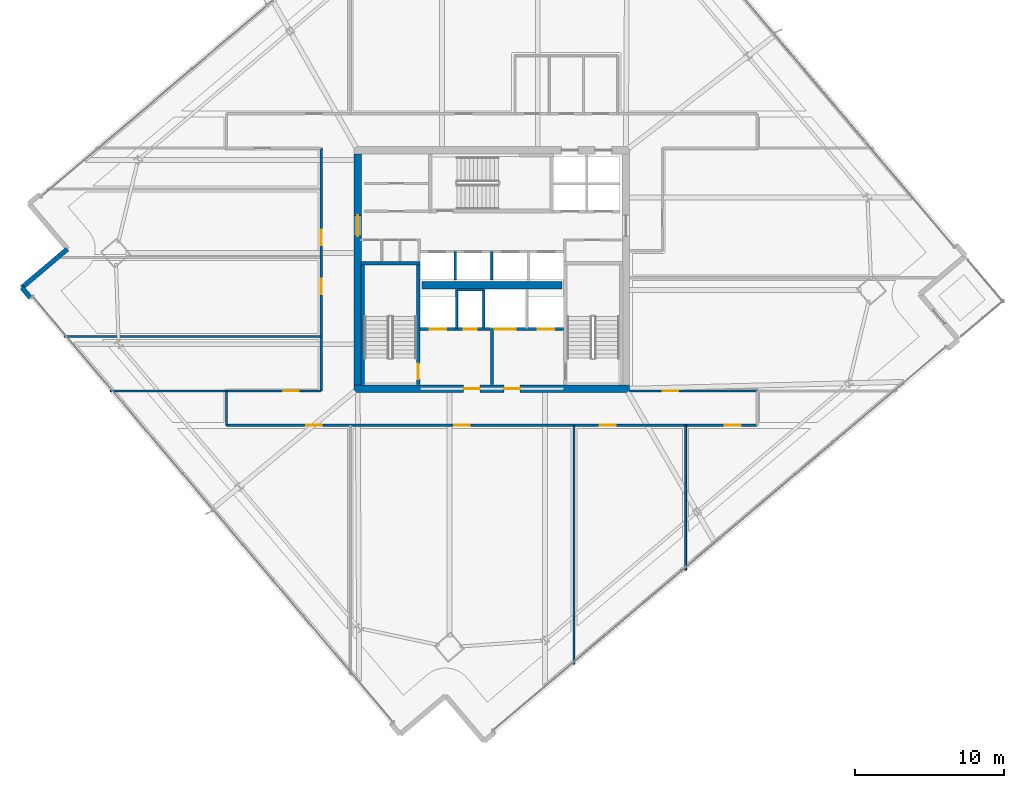
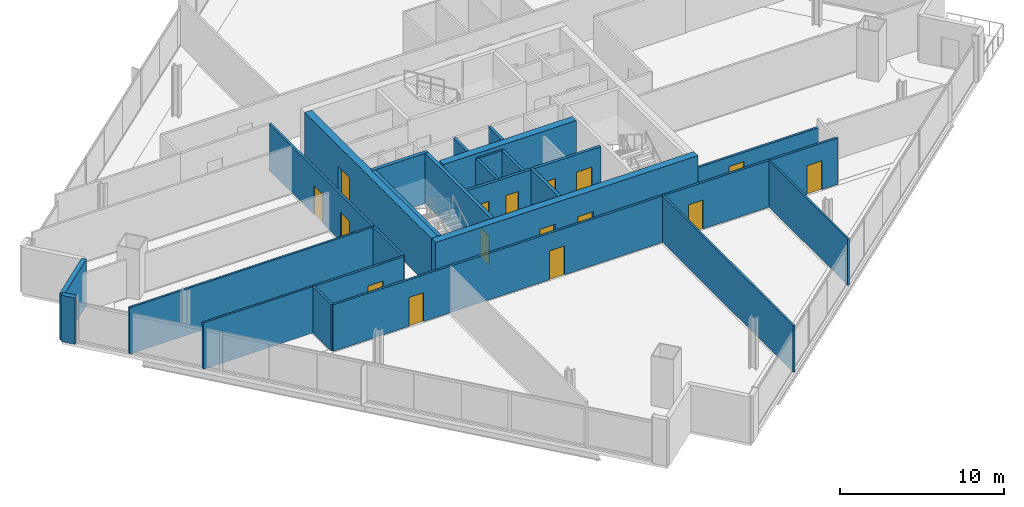
# One storey, part 26 of 34: 25 walls, 16 doors, 16 openings.
"""IFC4 building model written with IfcOpenShell, lengths in metres."""

from ifc_helpers import new_model, si_unit, direction, frame, frame_2d, origin, place, context, subcontext, project, spatial, rectangle, extrude, material, layer, layer_set, type_object, element, fill, save


model = new_model("IFC4")

# Units and contexts
model_context = context("Model", 3, precision=1e-05, world=origin(), true_north=direction((0.0, 1.0)))
body_context = subcontext(model_context, "Body", "Model", "MODEL_VIEW")
ifc_project = project(units=[si_unit("LENGTHUNIT", "METRE"), si_unit("AREAUNIT", "SQUARE_METRE"), si_unit("VOLUMEUNIT", "CUBIC_METRE"), si_unit("PLANEANGLEUNIT", "RADIAN"), si_unit("MASSUNIT", "GRAM", prefix="KILO")], contexts=[model_context])

# Site, building, storey
site_placement = place(None, origin())
site = spatial("IfcSite", under=ifc_project, at=site_placement, CompositionType="ELEMENT")
building_placement = place(site_placement, origin())
building = spatial("IfcBuilding", under=site, at=building_placement, Name="Haldenkirk Collegiate Tower", CompositionType="ELEMENT")
storey_placement = place(building_placement, frame((0.0, 0.0, 163.199951171875)))
storey = spatial("IfcBuildingStorey", under=building, at=storey_placement, Name="L40", CompositionType="ELEMENT", Elevation=163.199951171875)

# Wall, openings, doors
ifc_material_1 = material(Name="Concrete f'c 55 MPa", Category="concrete")
ifc_layer_1 = layer(ifc_material_1, 0.5)
ifc_layer_set_1 = layer_set([ifc_layer_1], Name="Concrete f'c 55 MPa")
wall_type_1 = type_object("IfcWallType", Name="WL-CORE-500", PredefinedType="SHEAR", material=ifc_layer_set_1)
wall_1_placement = place(storey_placement, frame((26.75, 18.0, 0.0), z_axis=(0.0, 0.0, 1.0), x_axis=(1.0, 0.0, 0.0)))
wall_1 = element("IfcWall", 1, at=wall_1_placement, inside=storey, type_object=wall_type_1, Name="L40 central core shear wall S", PredefinedType="SHEAR", context=body_context, shape_type="SweptSolid", body=[
    extrude(rectangle(XDim=18.5, YDim=0.5, at=frame_2d((9.25, 0.0))), origin(), (0.0, 0.0, 1.0), 3.75),
])
opening_1_placement = place(wall_1_placement, frame((7.35009765625, 0.0, 0.0)))
opening_1 = element("IfcOpeningElement", 2, at=opening_1_placement, cuts=wall_1, Name="Opening D-02", PredefinedType="OPENING", context=body_context, shape_type="SweptSolid", body=[
    extrude(rectangle(XDim=1.10009765625, YDim=2.14990234375, at=frame_2d((0.550048828125, 1.074951171875))), frame((0.0, 0.260009765625, 0.0), z_axis=(0.0, -1.0, 0.0), x_axis=(1.0, 0.0, 0.0)), (0.0, 0.0, 1.0), 0.52001953125),
])
opening_2_placement = place(wall_1_placement, frame((10.050048828125, 0.0, 0.0)))
opening_2 = element("IfcOpeningElement", 3, at=opening_2_placement, cuts=wall_1, Name="Opening D-02", PredefinedType="OPENING", context=body_context, shape_type="SweptSolid", body=[
    extrude(rectangle(XDim=1.10009765625, YDim=2.14990234375, at=frame_2d((0.550048828125, 1.074951171875))), frame((0.0, 0.260009765625, 0.0), z_axis=(0.0, -1.0, 0.0), x_axis=(1.0, 0.0, 0.0)), (0.0, 0.0, 1.0), 0.52001953125),
])
ifc_material_2 = material(Name="Galvanized fire-rated hollow steel door", Category="steel")
ifc_layer_2 = layer(ifc_material_2, 0.06005859375)
ifc_layer_set_2 = layer_set([ifc_layer_2], Name="Galvanized fire-rated hollow steel door")
door_type_1 = type_object("IfcDoorType", Name="DR-STAIR-FD90-1100", OperationType="NOTDEFINED", PredefinedType="DOOR", material=ifc_layer_set_2)
door_1_placement = place(opening_1_placement, origin())
door_1 = element("IfcDoor", 4, at=door_1_placement, inside=storey, type_object=door_type_1, Name="L40 Firefighting Lobby 1 door", OperationType="SINGLE_SWING_LEFT", OverallHeight=2.14990234375, OverallWidth=1.10009765625, PredefinedType="DOOR", context=body_context, shape_type="SweptSolid", body=[
    extrude(rectangle(XDim=1.10009765625, YDim=2.14990234375, at=frame_2d((0.550048828125, 1.074951171875))), frame((0.0, 0.02490234375, 0.0), z_axis=(0.0, -1.0, 0.0), x_axis=(1.0, 0.0, 0.0)), (0.0, 0.0, 1.0), 0.050048828125),
])
fill(opening_1, door_1)
door_2_placement = place(opening_2_placement, origin())
door_2 = element("IfcDoor", 5, at=door_2_placement, inside=storey, type_object=door_type_1, Name="L40 Firefighting Lobby 2 door", OperationType="SINGLE_SWING_RIGHT", OverallHeight=2.14990234375, OverallWidth=1.10009765625, PredefinedType="DOOR", context=body_context, shape_type="SweptSolid", body=[
    extrude(rectangle(XDim=1.10009765625, YDim=2.14990234375, at=frame_2d((0.550048828125, 1.074951171875))), frame((0.0, 0.02490234375, 0.0), z_axis=(0.0, -1.0, 0.0), x_axis=(1.0, 0.0, 0.0)), (0.0, 0.0, 1.0), 0.050048828125),
])
fill(opening_2, door_2)

# Wall, opening, door
wall_2_placement = place(storey_placement, frame((27.0, 18.25, 0.0), z_axis=(0.0, 0.0, 1.0), x_axis=(0.0, 1.0, 0.0)))
wall_2 = element("IfcWall", 6, at=wall_2_placement, inside=storey, type_object=wall_type_1, Name="L40 central core shear wall W", PredefinedType="SHEAR", context=body_context, shape_type="SweptSolid", body=[
    extrude(rectangle(XDim=15.5, YDim=0.5, at=frame_2d((7.75, 0.0))), origin(), (0.0, 0.0, 1.0), 3.75),
])
opening_3_placement = place(wall_2_placement, frame((9.989990234375, 0.0, 0.0)))
opening_3 = element("IfcOpeningElement", 7, at=opening_3_placement, cuts=wall_2, Name="Opening D-03", PredefinedType="OPENING", context=body_context, shape_type="SweptSolid", body=[
    extrude(rectangle(XDim=1.39990234375, YDim=2.199951171875, at=frame_2d((0.699951171875, 1.10009765625))), frame((0.0, 0.260009765625, 0.0), z_axis=(0.0, -1.0, 0.0), x_axis=(1.0, 0.0, 0.0)), (0.0, 0.0, 1.0), 0.52001953125),
])
ifc_layer_3 = layer(ifc_material_2, 0.06005859375)
ifc_layer_set_3 = layer_set([ifc_layer_3], Name="Galvanized fire-rated hollow steel door")
door_type_2 = type_object("IfcDoorType", Name="DR-LOBBY-FD90-1400", OperationType="NOTDEFINED", PredefinedType="DOOR", material=ifc_layer_set_3)
door_3_placement = place(opening_3_placement, origin())
door_3 = element("IfcDoor", 8, at=door_3_placement, inside=storey, type_object=door_type_2, Name="L40 west lift lobby portal", OperationType="DOUBLE_DOOR_SINGLE_SWING", OverallHeight=2.199951171875, OverallWidth=1.39990234375, PredefinedType="DOOR", context=body_context, shape_type="SweptSolid", body=[
    extrude(rectangle(XDim=1.39990234375, YDim=2.199951171875, at=frame_2d((0.699951171875, 1.10009765625))), frame((0.0, 0.02490234375, 0.0), z_axis=(0.0, -1.0, 0.0), x_axis=(1.0, 0.0, 0.0)), (0.0, 0.0, 1.0), 0.050048828125),
])
fill(opening_3, door_3)

# Walls
wall_3_placement = place(storey_placement, frame((31.31005859375, 24.949951171875, 0.0), z_axis=(0.0, 0.0, 1.0), x_axis=(1.0, 0.0, 0.0)))
element("IfcWall", 9, at=wall_3_placement, inside=storey, type_object=wall_type_1, Name="L40 central core spine shear wall", PredefinedType="SHEAR", context=body_context, shape_type="SweptSolid", body=[
    extrude(rectangle(XDim=9.3798828125, YDim=0.5, at=frame_2d((4.68994140625, 0.0))), origin(), (0.0, 0.0, 1.0), 3.75),
])
ifc_material_3 = material(Name="Precast concrete f'c 40 MPa", Category="concrete")
ifc_layer_4 = layer(ifc_material_3, 0.320068359375)
ifc_layer_set_4 = layer_set([ifc_layer_4], Name="Precast concrete f'c 40 MPa")
wall_type_2 = type_object("IfcWallType", Name="WL-EXT-TWR-320", PredefinedType="STANDARD", material=ifc_layer_set_4)
wall_4_placement = place(storey_placement, frame((4.466552734375, 24.788818359375, 0.0), z_axis=(0.0, 0.0, 1.0), x_axis=(0.763240413737, 0.646114595748, 0.0)))
element("IfcWall", 10, at=wall_4_placement, inside=storey, type_object=wall_type_2, Name="L40 bronze precast notch wall 09", PredefinedType="STANDARD", context=body_context, shape_type="SweptSolid", body=[
    extrude(rectangle(XDim=4.0, YDim=0.320068359375, at=frame_2d((2.0, 0.0))), origin(), (0.0, 0.0, 1.0), 3.4599609375),
])
wall_5_placement = place(storey_placement, frame((5.048095703125, 24.101806640625, 0.0), z_axis=(0.0, 0.0, 1.0), x_axis=(-0.64608813683, 0.763262811519, 0.0)))
element("IfcWall", 11, at=wall_5_placement, inside=storey, type_object=wall_type_2, Name="L40 precast corner pier WR", PredefinedType="STANDARD", context=body_context, shape_type="SweptSolid", body=[
    extrude(rectangle(XDim=0.900146484375, YDim=0.320068359375, at=frame_2d((0.4501953125, 0.0))), origin(), (0.0, 0.0, 1.0), 3.4599609375),
])

# Wall, openings, doors
ifc_material_4 = material(Name="Acoustic fire-rated gypsum partition", Category="concrete")
ifc_layer_5 = layer(ifc_material_4, 0.159912109375)
ifc_layer_set_5 = layer_set([ifc_layer_5], Name="Acoustic fire-rated gypsum partition")
wall_type_3 = type_object("IfcWallType", Name="WL-INT-CORR-160", PredefinedType="PARTITIONING", material=ifc_layer_set_5)
wall_6_placement = place(storey_placement, frame((18.199951171875, 15.550048828125, 0.0), z_axis=(0.0, 0.0, 1.0), x_axis=(1.0, 0.0, 0.0)))
wall_6 = element("IfcWall", 12, at=wall_6_placement, inside=storey, type_object=wall_type_3, Name="L40 interior partition IW-L40-CS", PredefinedType="PARTITIONING", context=body_context, shape_type="SweptSolid", body=[
    extrude(rectangle(XDim=35.60009765625, YDim=0.159912109375, at=frame_2d((17.800048828125, 0.0))), origin(), (0.0, 0.0, 1.0), 3.4599609375),
])
opening_4_placement = place(wall_6_placement, frame((5.344970703125, 0.0, 0.0)))
opening_4 = element("IfcOpeningElement", 13, at=opening_4_placement, cuts=wall_6, Name="Opening D-09", PredefinedType="OPENING", context=body_context, shape_type="SweptSolid", body=[
    extrude(rectangle(XDim=1.050048828125, YDim=2.14990234375, at=frame_2d((0.52490234375, 1.074951171875))), frame((0.0, 0.08984375, 0.0), z_axis=(0.0, -1.0, 0.0), x_axis=(1.0, 0.0, 0.0)), (0.0, 0.0, 1.0), 0.179931640625),
])
opening_5_placement = place(wall_6_placement, frame((15.27490234375, 0.0, 0.0)))
opening_5 = element("IfcOpeningElement", 14, at=opening_5_placement, cuts=wall_6, Name="Opening D-09", PredefinedType="OPENING", context=body_context, shape_type="SweptSolid", body=[
    extrude(rectangle(XDim=1.050048828125, YDim=2.14990234375, at=frame_2d((0.52490234375, 1.074951171875))), frame((0.0, 0.08984375, 0.0), z_axis=(0.0, -1.0, 0.0), x_axis=(1.0, 0.0, 0.0)), (0.0, 0.0, 1.0), 0.179931640625),
])
opening_6_placement = place(wall_6_placement, frame((25.054931640625, 0.0, 0.0)))
opening_6 = element("IfcOpeningElement", 15, at=opening_6_placement, cuts=wall_6, Name="Opening D-09", PredefinedType="OPENING", context=body_context, shape_type="SweptSolid", body=[
    extrude(rectangle(XDim=1.050048828125, YDim=2.14990234375, at=frame_2d((0.52490234375, 1.074951171875))), frame((0.0, 0.08984375, 0.0), z_axis=(0.0, -1.0, 0.0), x_axis=(1.0, 0.0, 0.0)), (0.0, 0.0, 1.0), 0.179931640625),
])
opening_7_placement = place(wall_6_placement, frame((33.43310546875, 0.0, 0.0)))
opening_7 = element("IfcOpeningElement", 16, at=opening_7_placement, cuts=wall_6, Name="Opening D-09", PredefinedType="OPENING", context=body_context, shape_type="SweptSolid", body=[
    extrude(rectangle(XDim=1.050048828125, YDim=2.14990234375, at=frame_2d((0.52490234375, 1.074951171875))), frame((0.0, 0.08984375, 0.0), z_axis=(0.0, -1.0, 0.0), x_axis=(1.0, 0.0, 0.0)), (0.0, 0.0, 1.0), 0.179931640625),
])
ifc_material_5 = material(Name="Solid-core architectural oak fire door", Category="wood")
ifc_layer_6 = layer(ifc_material_5, 0.06005859375)
ifc_layer_set_6 = layer_set([ifc_layer_6], Name="Solid-core architectural oak fire door")
door_type_3 = type_object("IfcDoorType", Name="DR-INT-FD60-1050", OperationType="NOTDEFINED", PredefinedType="DOOR", material=ifc_layer_set_6)
door_4_placement = place(opening_4_placement, origin())
door_4 = element("IfcDoor", 17, at=door_4_placement, inside=storey, type_object=door_type_3, Name="L40 Academic Press Bookshop 1 door", OperationType="SINGLE_SWING_LEFT", OverallHeight=2.14990234375, OverallWidth=1.050048828125, PredefinedType="DOOR", context=body_context, shape_type="SweptSolid", body=[
    extrude(rectangle(XDim=1.050048828125, YDim=2.14990234375, at=frame_2d((0.52490234375, 1.074951171875))), frame((0.0, 0.02490234375, 0.0), z_axis=(0.0, -1.0, 0.0), x_axis=(1.0, 0.0, 0.0)), (0.0, 0.0, 1.0), 0.050048828125),
])
fill(opening_4, door_4)
door_5_placement = place(opening_5_placement, origin())
door_5 = element("IfcDoor", 18, at=door_5_placement, inside=storey, type_object=door_type_3, Name="L40 Campus Print Shop 2 door", OperationType="SINGLE_SWING_RIGHT", OverallHeight=2.14990234375, OverallWidth=1.050048828125, PredefinedType="DOOR", context=body_context, shape_type="SweptSolid", body=[
    extrude(rectangle(XDim=1.050048828125, YDim=2.14990234375, at=frame_2d((0.52490234375, 1.074951171875))), frame((0.0, 0.02490234375, 0.0), z_axis=(0.0, -1.0, 0.0), x_axis=(1.0, 0.0, 0.0)), (0.0, 0.0, 1.0), 0.050048828125),
])
fill(opening_5, door_5)
door_6_placement = place(opening_6_placement, origin())
door_6 = element("IfcDoor", 19, at=door_6_placement, inside=storey, type_object=door_type_3, Name="L40 Model Supply Shop 3 door", OperationType="SINGLE_SWING_LEFT", OverallHeight=2.14990234375, OverallWidth=1.050048828125, PredefinedType="DOOR", context=body_context, shape_type="SweptSolid", body=[
    extrude(rectangle(XDim=1.050048828125, YDim=2.14990234375, at=frame_2d((0.52490234375, 1.074951171875))), frame((0.0, 0.02490234375, 0.0), z_axis=(0.0, -1.0, 0.0), x_axis=(1.0, 0.0, 0.0)), (0.0, 0.0, 1.0), 0.050048828125),
])
fill(opening_6, door_6)
door_7_placement = place(opening_7_placement, origin())
door_7 = element("IfcDoor", 20, at=door_7_placement, inside=storey, type_object=door_type_3, Name="L40 Departmental Archive 4 door", OperationType="SINGLE_SWING_RIGHT", OverallHeight=2.14990234375, OverallWidth=1.050048828125, PredefinedType="DOOR", context=body_context, shape_type="SweptSolid", body=[
    extrude(rectangle(XDim=1.050048828125, YDim=2.14990234375, at=frame_2d((0.52490234375, 1.074951171875))), frame((0.0, 0.02490234375, 0.0), z_axis=(0.0, -1.0, 0.0), x_axis=(1.0, 0.0, 0.0)), (0.0, 0.0, 1.0), 0.050048828125),
])
fill(opening_7, door_7)

# Wall, opening, door
wall_7_placement = place(storey_placement, frame((18.199951171875, 17.85009765625, 0.0), z_axis=(0.0, 0.0, 1.0), x_axis=(1.0, 0.0, 0.0)))
wall_7 = element("IfcWall", 21, at=wall_7_placement, inside=storey, type_object=wall_type_3, Name="L40 interior partition IW-L40-CSW", PredefinedType="PARTITIONING", context=body_context, shape_type="SweptSolid", body=[
    extrude(rectangle(XDim=6.35009765625, YDim=0.159912109375, at=frame_2d((3.175048828125, 0.0))), origin(), (0.0, 0.0, 1.0), 3.4599609375),
])
opening_8_placement = place(wall_7_placement, frame((3.79296875, 0.0, 0.0)))
opening_8 = element("IfcOpeningElement", 22, at=opening_8_placement, cuts=wall_7, Name="Opening D-09", PredefinedType="OPENING", context=body_context, shape_type="SweptSolid", body=[
    extrude(rectangle(XDim=1.050048828125, YDim=2.14990234375, at=frame_2d((0.52490234375, 1.074951171875))), frame((0.0, 0.08984375, 0.0), z_axis=(0.0, -1.0, 0.0), x_axis=(1.0, 0.0, 0.0)), (0.0, 0.0, 1.0), 0.179931640625),
])
door_8_placement = place(opening_8_placement, origin())
door_8 = element("IfcDoor", 23, at=door_8_placement, inside=storey, type_object=door_type_3, Name="L40 Academic Press Bookshop 7 door", OperationType="SINGLE_SWING_LEFT", OverallHeight=2.14990234375, OverallWidth=1.050048828125, PredefinedType="DOOR", context=body_context, shape_type="SweptSolid", body=[
    extrude(rectangle(XDim=1.050048828125, YDim=2.14990234375, at=frame_2d((0.52490234375, 1.074951171875))), frame((0.0, 0.02490234375, 0.0), z_axis=(0.0, -1.0, 0.0), x_axis=(1.0, 0.0, 0.0)), (0.0, 0.0, 1.0), 0.050048828125),
])
fill(opening_8, door_8)

wall_8_placement = place(storey_placement, frame((45.25, 17.85009765625, 0.0), z_axis=(0.0, 0.0, 1.0), x_axis=(1.0, 0.0, 0.0)))
wall_8 = element("IfcWall", 24, at=wall_8_placement, inside=storey, type_object=wall_type_3, Name="L40 interior partition IW-L40-CSE", PredefinedType="PARTITIONING", context=body_context, shape_type="SweptSolid", body=[
    extrude(rectangle(XDim=8.550048828125, YDim=0.159912109375, at=frame_2d((4.27490234375, 0.0))), origin(), (0.0, 0.0, 1.0), 2.839111328125),
])
opening_9_placement = place(wall_8_placement, frame((2.2109375, 0.0, 0.0)))
opening_9 = element("IfcOpeningElement", 25, at=opening_9_placement, cuts=wall_8, Name="Opening D-09", PredefinedType="OPENING", context=body_context, shape_type="SweptSolid", body=[
    extrude(rectangle(XDim=1.050048828125, YDim=2.14990234375, at=frame_2d((0.52490234375, 1.074951171875))), frame((0.0, 0.08984375, 0.0), z_axis=(0.0, -1.0, 0.0), x_axis=(1.0, 0.0, 0.0)), (0.0, 0.0, 1.0), 0.179931640625),
])
door_9_placement = place(opening_9_placement, origin())
door_9 = element("IfcDoor", 26, at=door_9_placement, inside=storey, type_object=door_type_3, Name="L40 Instrument Store Room 11 door", OperationType="SINGLE_SWING_LEFT", OverallHeight=2.14990234375, OverallWidth=1.050048828125, PredefinedType="DOOR", context=body_context, shape_type="SweptSolid", body=[
    extrude(rectangle(XDim=1.050048828125, YDim=2.14990234375, at=frame_2d((0.52490234375, 1.074951171875))), frame((0.0, 0.02490234375, 0.0), z_axis=(0.0, -1.0, 0.0), x_axis=(1.0, 0.0, 0.0)), (0.0, 0.0, 1.0), 0.050048828125),
])
fill(opening_9, door_9)

# Wall, openings, doors
wall_9_placement = place(storey_placement, frame((24.550048828125, 17.85009765625, 0.0), z_axis=(0.0, 0.0, 1.0), x_axis=(0.0, 1.0, 0.0)))
wall_9 = element("IfcWall", 27, at=wall_9_placement, inside=storey, type_object=wall_type_3, Name="L40 interior partition IW-L40-CW", PredefinedType="PARTITIONING", context=body_context, shape_type="SweptSolid", body=[
    extrude(rectangle(XDim=16.2998046875, YDim=0.159912109375, at=frame_2d((8.14990234375, 0.0))), origin(), (0.0, 0.0, 1.0), 3.4599609375),
])
opening_10_placement = place(wall_9_placement, frame((6.490966796875, 0.0, 0.0)))
opening_10 = element("IfcOpeningElement", 28, at=opening_10_placement, cuts=wall_9, Name="Opening D-09", PredefinedType="OPENING", context=body_context, shape_type="SweptSolid", body=[
    extrude(rectangle(XDim=1.050048828125, YDim=2.14990234375, at=frame_2d((0.52490234375, 1.074951171875))), frame((0.0, 0.08984375, 0.0), z_axis=(0.0, -1.0, 0.0), x_axis=(1.0, 0.0, 0.0)), (0.0, 0.0, 1.0), 0.179931640625),
])
opening_11_placement = place(wall_9_placement, frame((9.777099609375, 0.0, 0.0)))
opening_11 = element("IfcOpeningElement", 29, at=opening_11_placement, cuts=wall_9, Name="Opening D-09", PredefinedType="OPENING", context=body_context, shape_type="SweptSolid", body=[
    extrude(rectangle(XDim=1.050048828125, YDim=2.14990234375, at=frame_2d((0.52490234375, 1.074951171875))), frame((0.0, 0.08984375, 0.0), z_axis=(0.0, -1.0, 0.0), x_axis=(1.0, 0.0, 0.0)), (0.0, 0.0, 1.0), 0.179931640625),
])
door_10_placement = place(opening_10_placement, origin())
door_10 = element("IfcDoor", 30, at=door_10_placement, inside=storey, type_object=door_type_3, Name="L40 Campus Print Shop 8 door", OperationType="SINGLE_SWING_RIGHT", OverallHeight=2.14990234375, OverallWidth=1.050048828125, PredefinedType="DOOR", context=body_context, shape_type="SweptSolid", body=[
    extrude(rectangle(XDim=1.050048828125, YDim=2.14990234375, at=frame_2d((0.52490234375, 1.074951171875))), frame((0.0, 0.02490234375, 0.0), z_axis=(0.0, -1.0, 0.0), x_axis=(1.0, 0.0, 0.0)), (0.0, 0.0, 1.0), 0.050048828125),
])
fill(opening_10, door_10)
door_11_placement = place(opening_11_placement, origin())
door_11 = element("IfcDoor", 31, at=door_11_placement, inside=storey, type_object=door_type_3, Name="L40 Model Supply Shop 9 door", OperationType="SINGLE_SWING_LEFT", OverallHeight=2.14990234375, OverallWidth=1.050048828125, PredefinedType="DOOR", context=body_context, shape_type="SweptSolid", body=[
    extrude(rectangle(XDim=1.050048828125, YDim=2.14990234375, at=frame_2d((0.52490234375, 1.074951171875))), frame((0.0, 0.02490234375, 0.0), z_axis=(0.0, -1.0, 0.0), x_axis=(1.0, 0.0, 0.0)), (0.0, 0.0, 1.0), 0.050048828125),
])
fill(opening_11, door_11)

# Walls
wall_10_placement = place(storey_placement, frame((18.199951171875, 15.550048828125, 0.0), z_axis=(0.0, 0.0, 1.0), x_axis=(0.0, 1.0, 0.0)))
element("IfcWall", 32, at=wall_10_placement, inside=storey, type_object=wall_type_3, Name="L40 interior partition IW-L40-CSL", PredefinedType="PARTITIONING", context=body_context, shape_type="SweptSolid", body=[
    extrude(rectangle(XDim=2.300048828125, YDim=0.159912109375, at=frame_2d((1.14990234375, 0.0))), origin(), (0.0, 0.0, 1.0), 3.4599609375),
])
ifc_layer_7 = layer(ifc_material_4, 0.139892578125)
ifc_layer_set_7 = layer_set([ifc_layer_7], Name="Acoustic fire-rated gypsum partition")
wall_type_4 = type_object("IfcWallType", Name="WL-INT-DIV-140", PredefinedType="PARTITIONING", material=ifc_layer_set_7)
wall_11_placement = place(storey_placement, frame((10.39306640625, 17.85009765625, 0.0), z_axis=(0.0, 0.0, 1.0), x_axis=(1.0, 0.0, 0.0)))
element("IfcWall", 33, at=wall_11_placement, inside=storey, type_object=wall_type_4, Name="L40 interior partition IW-L40-BWS", PredefinedType="PARTITIONING", context=body_context, shape_type="SweptSolid", body=[
    extrude(rectangle(XDim=7.806884765625, YDim=0.139892578125, at=frame_2d((3.9033203125, 0.0))), origin(), (0.0, 0.0, 1.0), 3.4599609375),
])
wall_12_placement = place(storey_placement, frame((41.5, -0.50732421875, 0.0), z_axis=(0.0, 0.0, 1.0), x_axis=(0.0, 1.0, 0.0)))
element("IfcWall", 34, at=wall_12_placement, inside=storey, type_object=wall_type_4, Name="L40 interior partition IW-L40-RS2", PredefinedType="PARTITIONING", context=body_context, shape_type="SweptSolid", body=[
    extrude(rectangle(XDim=16.057373046875, YDim=0.139892578125, at=frame_2d((8.02880859375, 0.0))), origin(), (0.0, 0.0, 1.0), 3.4599609375),
])
wall_13_placement = place(storey_placement, frame((7.302978515625, 21.5, 0.0), z_axis=(0.0, 0.0, 1.0), x_axis=(1.0, 0.0, 0.0)))
element("IfcWall", 35, at=wall_13_placement, inside=storey, type_object=wall_type_4, Name="L40 interior partition IW-L40-RW1", PredefinedType="PARTITIONING", context=body_context, shape_type="SweptSolid", body=[
    extrude(rectangle(XDim=17.2470703125, YDim=0.139892578125, at=frame_2d((8.62353515625, 0.0))), origin(), (0.0, 0.0, 1.0), 3.4599609375),
])
ifc_material_6 = material(Name="Fire-rated gypsum shaftboard assembly", Category="concrete")
ifc_layer_8 = layer(ifc_material_6, 0.179931640625)
ifc_layer_set_8 = layer_set([ifc_layer_8], Name="Fire-rated gypsum shaftboard assembly")
wall_type_5 = type_object("IfcWallType", Name="WL-INT-SHAFT-180", PredefinedType="PARTITIONING", material=ifc_layer_set_8)
for number, where, z_axis, x_axis, name in (
    (36, (33.64990234375, 22.050048828125, 0.0), (0.0, 0.0, 1.0), (0.0, 1.0, 0.0), "L40 interior partition IW-L40-FL1E"),
    (37, (35.449951171875, 22.050048828125, 0.0), (0.0, 0.0, 1.0), (0.0, 1.0, 0.0), "L40 interior partition IW-L40-GL1W"),
):
    element("IfcWall", number, at=place(storey_placement, frame(where, z_axis=z_axis, x_axis=x_axis)), inside=storey, type_object=wall_type_5, Name=name, PredefinedType="PARTITIONING", context=body_context, shape_type="SweptSolid", body=[
        extrude(rectangle(XDim=2.599853515625, YDim=0.179931640625, at=frame_2d((1.2998046875, 0.0))), origin(), (0.0, 0.0, 1.0), 3.4599609375),
    ])
wall_14_placement = place(storey_placement, frame((33.64990234375, 24.64990234375, 0.0), z_axis=(0.0, 0.0, 1.0), x_axis=(1.0, 0.0, 0.0)))
element("IfcWall", 38, at=wall_14_placement, inside=storey, type_object=wall_type_5, Name="L40 interior partition IW-L40-RSRN", PredefinedType="PARTITIONING", context=body_context, shape_type="SweptSolid", body=[
    extrude(rectangle(XDim=1.800048828125, YDim=0.179931640625, at=frame_2d((0.89990234375, 0.0))), origin(), (0.0, 0.0, 1.0), 3.4599609375),
])
for number, where, z_axis, x_axis, name in (
    (39, (33.5400390625, 25.300048828125, 0.0), (0.0, 0.0, 1.0), (0.0, 1.0, 0.0), "L40 interior partition IW-L40-PHV1"),
    (40, (36.0, 25.300048828125, 0.0), (0.0, 0.0, 1.0), (0.0, 1.0, 0.0), "L40 interior partition IW-L40-PHV2"),
):
    element("IfcWall", number, at=place(storey_placement, frame(where, z_axis=z_axis, x_axis=x_axis)), inside=storey, type_object=wall_type_5, Name=name, PredefinedType="PARTITIONING", context=body_context, shape_type="SweptSolid", body=[
        extrude(rectangle(XDim=1.89990234375, YDim=0.179931640625, at=frame_2d((0.949951171875, 0.0))), origin(), (0.0, 0.0, 1.0), 3.4599609375),
    ])
ifc_layer_9 = layer(ifc_material_6, 0.199951171875)
ifc_layer_set_9 = layer_set([ifc_layer_9], Name="Fire-rated gypsum shaftboard assembly")
wall_type_6 = type_object("IfcWallType", Name="WL-INT-SHAFT-200", PredefinedType="PARTITIONING", material=ifc_layer_set_9)
wall_15_placement = place(storey_placement, frame((36.0, 18.280029296875, 0.0), z_axis=(0.0, 0.0, 1.0), x_axis=(0.0, 1.0, 0.0)))
element("IfcWall", 41, at=wall_15_placement, inside=storey, type_object=wall_type_6, Name="L40 interior partition IW-L40-FFLM", PredefinedType="PARTITIONING", context=body_context, shape_type="SweptSolid", body=[
    extrude(rectangle(XDim=3.77001953125, YDim=0.199951171875, at=frame_2d((1.885009765625, 0.0))), origin(), (0.0, 0.0, 1.0), 3.4599609375),
])

# Wall, openings, doors
wall_16_placement = place(storey_placement, frame((31.18994140625, 22.0, 0.0), z_axis=(0.0, 0.0, 1.0), x_axis=(1.0, 0.0, 0.0)))
wall_16 = element("IfcWall", 42, at=wall_16_placement, inside=storey, type_object=wall_type_6, Name="L40 interior partition IW-L40-FFL1N", PredefinedType="PARTITIONING", context=body_context, shape_type="SweptSolid", body=[
    extrude(rectangle(XDim=4.68994140625, YDim=0.199951171875, at=frame_2d((2.344970703125, 0.0))), origin(), (0.0, 0.0, 1.0), 3.4599609375),
])
opening_12_placement = place(wall_16_placement, frame((2.909912109375, 0.0, 0.0)))
opening_12 = element("IfcOpeningElement", 43, at=opening_12_placement, cuts=wall_16, Name="Opening D-06", PredefinedType="OPENING", context=body_context, shape_type="SweptSolid", body=[
    extrude(rectangle(XDim=0.89990234375, YDim=2.14990234375, at=frame_2d((0.449951171875, 1.074951171875))), frame((0.0, 0.10986328125, 0.0), z_axis=(0.0, -1.0, 0.0), x_axis=(1.0, 0.0, 0.0)), (0.0, 0.0, 1.0), 0.219970703125),
])
opening_13_placement = place(wall_16_placement, frame((0.635009765625, 0.0, 0.0)))
opening_13 = element("IfcOpeningElement", 44, at=opening_13_placement, cuts=wall_16, Name="Opening LD-12", PredefinedType="OPENING", context=body_context, shape_type="SweptSolid", body=[
    extrude(rectangle(XDim=1.10009765625, YDim=2.14990234375, at=frame_2d((0.550048828125, 1.074951171875))), frame((0.0, 0.10986328125, 0.0), z_axis=(0.0, -1.0, 0.0), x_axis=(1.0, 0.0, 0.0)), (0.0, 0.0, 1.0), 0.219970703125),
])
ifc_layer_10 = layer(ifc_material_2, 0.06005859375)
ifc_layer_set_10 = layer_set([ifc_layer_10], Name="Galvanized fire-rated hollow steel door")
door_type_4 = type_object("IfcDoorType", Name="DR-INT-FD90-900", OperationType="NOTDEFINED", PredefinedType="DOOR", material=ifc_layer_set_10)
door_12_placement = place(opening_12_placement, origin())
door_12 = element("IfcDoor", 45, at=door_12_placement, inside=storey, type_object=door_type_4, Name="L40 electrical riser door", OperationType="SINGLE_SWING_LEFT", OverallHeight=2.14990234375, OverallWidth=0.89990234375, PredefinedType="DOOR", context=body_context, shape_type="SweptSolid", body=[
    extrude(rectangle(XDim=0.89990234375, YDim=2.14990234375, at=frame_2d((0.449951171875, 1.074951171875))), frame((0.0, 0.02490234375, 0.0), z_axis=(0.0, -1.0, 0.0), x_axis=(1.0, 0.0, 0.0)), (0.0, 0.0, 1.0), 0.050048828125),
])
fill(opening_12, door_12)
ifc_material_7 = material(Name="Brushed architectural stainless steel", Category="steel")
ifc_layer_11 = layer(ifc_material_7, 0.06005859375)
ifc_layer_set_11 = layer_set([ifc_layer_11], Name="Brushed architectural stainless steel")
door_type_5 = type_object("IfcDoorType", Name="LD-FIRE-1100", OperationType="NOTDEFINED", PredefinedType="DOOR", material=ifc_layer_set_11)
door_13_placement = place(opening_13_placement, origin())
door_13 = element("IfcDoor", 46, at=door_13_placement, inside=storey, type_object=door_type_5, Name="L40 Elevator FL1 sliding landing door", OperationType="SLIDING_TO_LEFT", OverallHeight=2.14990234375, OverallWidth=1.10009765625, PredefinedType="DOOR", context=body_context, shape_type="SweptSolid", body=[
    extrude(rectangle(XDim=1.10009765625, YDim=2.14990234375, at=frame_2d((0.550048828125, 1.074951171875))), frame((0.0, 0.02490234375, 0.0), z_axis=(0.0, -1.0, 0.0), x_axis=(1.0, 0.0, 0.0)), (0.0, 0.0, 1.0), 0.050048828125),
])
fill(opening_13, door_13)

wall_17_placement = place(storey_placement, frame((36.1201171875, 22.0, 0.0), z_axis=(0.0, 0.0, 1.0), x_axis=(1.0, 0.0, 0.0)))
wall_17 = element("IfcWall", 47, at=wall_17_placement, inside=storey, type_object=wall_type_6, Name="L40 interior partition IW-L40-FFL2N", PredefinedType="PARTITIONING", context=body_context, shape_type="SweptSolid", body=[
    extrude(rectangle(XDim=4.68994140625, YDim=0.199951171875, at=frame_2d((2.344970703125, 0.0))), origin(), (0.0, 0.0, 1.0), 3.4599609375),
])
opening_14_placement = place(wall_17_placement, frame((2.955078125, 0.0, 0.0)))
opening_14 = element("IfcOpeningElement", 48, at=opening_14_placement, cuts=wall_17, Name="Opening LD-12", PredefinedType="OPENING", context=body_context, shape_type="SweptSolid", body=[
    extrude(rectangle(XDim=1.10009765625, YDim=2.14990234375, at=frame_2d((0.550048828125, 1.074951171875))), frame((0.0, 0.10986328125, 0.0), z_axis=(0.0, -1.0, 0.0), x_axis=(1.0, 0.0, 0.0)), (0.0, 0.0, 1.0), 0.219970703125),
])
opening_15_placement = place(wall_17_placement, frame((0.080078125, 0.0, 0.0)))
opening_15 = element("IfcOpeningElement", 49, at=opening_15_placement, cuts=wall_17, Name="Opening LD-13", PredefinedType="OPENING", context=body_context, shape_type="SweptSolid", body=[
    extrude(rectangle(XDim=1.39990234375, YDim=2.199951171875, at=frame_2d((0.699951171875, 1.10009765625))), frame((0.0, 0.10986328125, 0.0), z_axis=(0.0, -1.0, 0.0), x_axis=(1.0, 0.0, 0.0)), (0.0, 0.0, 1.0), 0.219970703125),
])
door_14_placement = place(opening_14_placement, origin())
door_14 = element("IfcDoor", 50, at=door_14_placement, inside=storey, type_object=door_type_5, Name="L40 Elevator FL2 sliding landing door", OperationType="SLIDING_TO_LEFT", OverallHeight=2.14990234375, OverallWidth=1.10009765625, PredefinedType="DOOR", context=body_context, shape_type="SweptSolid", body=[
    extrude(rectangle(XDim=1.10009765625, YDim=2.14990234375, at=frame_2d((0.550048828125, 1.074951171875))), frame((0.0, 0.02490234375, 0.0), z_axis=(0.0, -1.0, 0.0), x_axis=(1.0, 0.0, 0.0)), (0.0, 0.0, 1.0), 0.050048828125),
])
fill(opening_14, door_14)
ifc_layer_12 = layer(ifc_material_7, 0.06005859375)
ifc_layer_set_12 = layer_set([ifc_layer_12], Name="Brushed architectural stainless steel")
door_type_6 = type_object("IfcDoorType", Name="LD-GOODS-1400", OperationType="NOTDEFINED", PredefinedType="DOOR", material=ifc_layer_set_12)
door_15_placement = place(opening_15_placement, origin())
door_15 = element("IfcDoor", 51, at=door_15_placement, inside=storey, type_object=door_type_6, Name="L40 Elevator GL1 sliding landing door", OperationType="SLIDING_TO_LEFT", OverallHeight=2.199951171875, OverallWidth=1.39990234375, PredefinedType="DOOR", context=body_context, shape_type="SweptSolid", body=[
    extrude(rectangle(XDim=1.39990234375, YDim=2.199951171875, at=frame_2d((0.699951171875, 1.10009765625))), frame((0.0, 0.02490234375, 0.0), z_axis=(0.0, -1.0, 0.0), x_axis=(1.0, 0.0, 0.0)), (0.0, 0.0, 1.0), 0.050048828125),
])
fill(opening_15, door_15)

# Wall
ifc_layer_13 = layer(ifc_material_4, 0.1201171875)
ifc_layer_set_13 = layer_set([ifc_layer_13], Name="Acoustic fire-rated gypsum partition")
wall_type_7 = type_object("IfcWallType", Name="WL-INT-WET-120", PredefinedType="PARTITIONING", material=ifc_layer_set_13)
wall_18_placement = place(storey_placement, frame((49.0, 5.841796875, 0.0), z_axis=(0.0, 0.0, 1.0), x_axis=(0.0, 1.0, 0.0)))
element("IfcWall", 52, at=wall_18_placement, inside=storey, type_object=wall_type_7, Name="L40 interior partition IW-L40-RS3", PredefinedType="PARTITIONING", context=body_context, shape_type="SweptSolid", body=[
    extrude(rectangle(XDim=9.708251953125, YDim=0.1201171875, at=frame_2d((4.85400390625, 0.0))), origin(), (0.0, 0.0, 1.0), 3.4599609375),
])

# Wall, opening, door
ifc_layer_14 = layer(ifc_material_1, 0.239990234375)
ifc_layer_set_14 = layer_set([ifc_layer_14], Name="Concrete f'c 55 MPa")
wall_type_8 = type_object("IfcWallType", Name="WL-SHAFT-240", PredefinedType="SHEAR", material=ifc_layer_set_14)
wall_19_placement = place(storey_placement, frame((31.070068359375, 18.280029296875, 0.0), z_axis=(0.0, 0.0, 1.0), x_axis=(0.0, 1.0, 0.0)))
wall_19 = element("IfcWall", 53, at=wall_19_placement, inside=storey, type_object=wall_type_8, Name="L40 stair shaft shear wall SW-L40-ST1E", PredefinedType="SHEAR", context=body_context, shape_type="SweptSolid", body=[
    extrude(rectangle(XDim=8.260009765625, YDim=0.239990234375, at=frame_2d((4.1298828125, 0.0))), origin(), (0.0, 0.0, 1.0), 3.75),
])
opening_16_placement = place(wall_19_placement, frame((0.364990234375, 0.0, 0.0)))
opening_16 = element("IfcOpeningElement", 54, at=opening_16_placement, cuts=wall_19, Name="Opening D-01", PredefinedType="OPENING", context=body_context, shape_type="SweptSolid", body=[
    extrude(rectangle(XDim=1.050048828125, YDim=2.14990234375, at=frame_2d((0.52490234375, 1.074951171875))), frame((0.0, 0.1298828125, 0.0), z_axis=(0.0, -1.0, 0.0), x_axis=(1.0, 0.0, 0.0)), (0.0, 0.0, 1.0), 0.260009765625),
])
ifc_layer_15 = layer(ifc_material_2, 0.06005859375)
ifc_layer_set_15 = layer_set([ifc_layer_15], Name="Galvanized fire-rated hollow steel door")
door_type_7 = type_object("IfcDoorType", Name="DR-STAIR-FD90-1050", OperationType="NOTDEFINED", PredefinedType="DOOR", material=ifc_layer_set_15)
door_16_placement = place(opening_16_placement, origin())
door_16 = element("IfcDoor", 55, at=door_16_placement, inside=storey, type_object=door_type_7, Name="L40 Stair 1 door", OperationType="SINGLE_SWING_LEFT", OverallHeight=2.14990234375, OverallWidth=1.050048828125, PredefinedType="DOOR", context=body_context, shape_type="SweptSolid", body=[
    extrude(rectangle(XDim=1.050048828125, YDim=2.14990234375, at=frame_2d((0.52490234375, 1.074951171875))), frame((0.0, 0.02490234375, 0.0), z_axis=(0.0, -1.0, 0.0), x_axis=(1.0, 0.0, 0.0)), (0.0, 0.0, 1.0), 0.050048828125),
])
fill(opening_16, door_16)

# Walls
wall_20_placement = place(storey_placement, frame((27.2099609375, 26.419921875, 0.0), z_axis=(0.0, 0.0, 1.0), x_axis=(1.0, 0.0, 0.0)))
element("IfcWall", 56, at=wall_20_placement, inside=storey, type_object=wall_type_8, Name="L40 stair shaft shear wall SW-L40-ST1N", PredefinedType="SHEAR", context=body_context, shape_type="SweptSolid", body=[
    extrude(rectangle(XDim=3.97998046875, YDim=0.239990234375, at=frame_2d((1.989990234375, 0.0))), origin(), (0.0, 0.0, 1.0), 3.75),
])
wall_21_placement = place(storey_placement, frame((27.330078125, 18.280029296875, 0.0), z_axis=(0.0, 0.0, 1.0), x_axis=(0.0, 1.0, 0.0)))
element("IfcWall", 57, at=wall_21_placement, inside=storey, type_object=wall_type_8, Name="L40 stair shaft shear wall SW-L40-ST1W", PredefinedType="SHEAR", context=body_context, shape_type="SweptSolid", body=[
    extrude(rectangle(XDim=8.260009765625, YDim=0.239990234375, at=frame_2d((4.1298828125, 0.0))), origin(), (0.0, 0.0, 1.0), 3.75),
])

save(model, "model.ifc")
